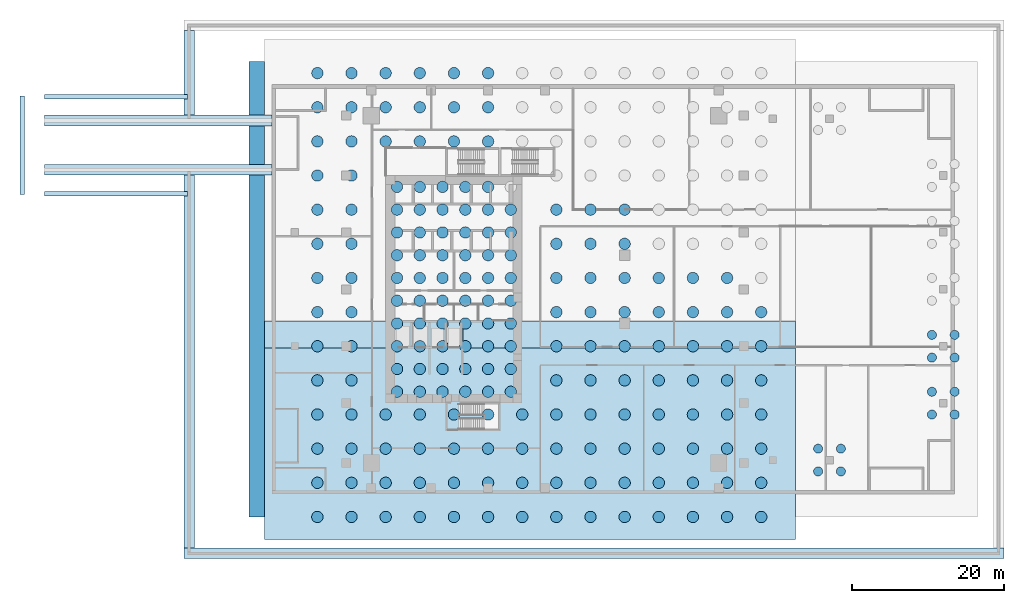
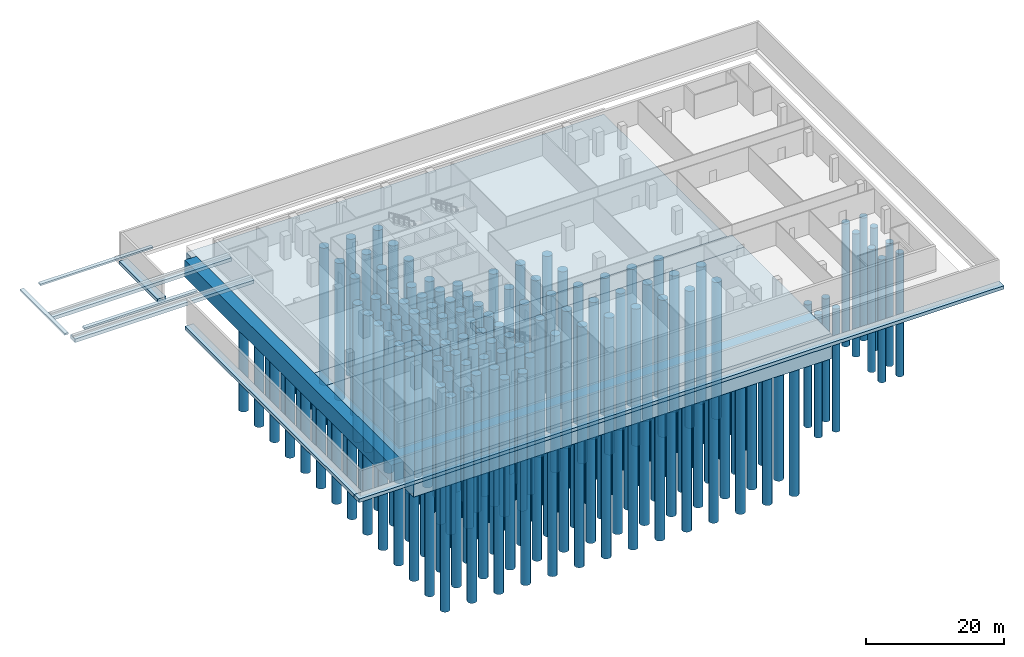
# One storey, part 1 of 10: 192 piles, 13 footings.
"""IFC4 building model written with IfcOpenShell, lengths in metres."""

import ifcopenshell
import ifcopenshell.guid

model = None  # the IFC model being written
_history = None  # IfcOwnerHistory: only IFC2X3 demands one
_inside = {}  # id of a spatial element -> (the spatial element, [elements in it])
_under = {}  # id of a project, library or spatial element -> (it, [spatial elements below it])
_declared = {}  # id of a project -> (the project, [libraries it declares])
_typed = {}  # id of a type object -> (the type object, [elements of that type])
_made_of = {}  # id of a material, layer set ... -> (it, [elements and type objects made of it])


def new_model(schema):
    """Start an empty IFC model of exactly this schema.

    Asked for "IFC4X3", IfcOpenShell would pick the latest addendum, in which some entities
    have other attributes; the version numbers below select the first issue.
    IFC2X3 requires an IfcOwnerHistory on every rooted entity: one is made here for all.
    """
    global model, _history
    if schema == "IFC4X3":
        model = ifcopenshell.file(schema_version=(4, 3, 0, 0))
    else:
        model = ifcopenshell.file(schema=schema)
    _inside.clear()
    _under.clear()
    _declared.clear()
    _typed.clear()
    _made_of.clear()
    _history = None
    if model.schema == "IFC2X3":
        org = make("IfcOrganization", Name="unknown")
        user = make(
            "IfcPersonAndOrganization",
            ThePerson=make("IfcPerson", FamilyName="unknown"),
            TheOrganization=org,
        )
        app = make(
            "IfcApplication",
            ApplicationDeveloper=org,
            Version="unknown",
            ApplicationFullName="unknown",
            ApplicationIdentifier="unknown",
        )
        _history = make(
            "IfcOwnerHistory",
            OwningUser=user,
            OwningApplication=app,
            ChangeAction="ADDED",
            CreationDate=0,
        )
    return model


def make(cls, **values):
    """One entity of the class cls with the attributes given. An attribute that is None is left unset."""
    return model.create_entity(
        cls, **{name: value for name, value in values.items() if value is not None}
    )


def rooted(cls, **values):
    """An entity with a GlobalId (a new one), such as an element, a storey or a relation."""
    return make(cls, GlobalId=ifcopenshell.guid.new(), OwnerHistory=_history, **values)


def si_unit(unit_type, name, prefix=None):
    """IfcSIUnit, for example si_unit("LENGTHUNIT", "METRE", prefix="MILLI")."""
    return make("IfcSIUnit", UnitType=unit_type, Prefix=prefix, Name=name)


def assignment(units):
    """IfcUnitAssignment: the units of a project."""
    return None if units is None else make("IfcUnitAssignment", Units=units)


def point(xyz):
    """IfcCartesianPoint."""
    return None if xyz is None else make("IfcCartesianPoint", Coordinates=xyz)


def direction(xyz):
    """IfcDirection."""
    return None if xyz is None else make("IfcDirection", DirectionRatios=xyz)


def frame(location, z_axis=None, x_axis=None):
    """IfcAxis2Placement3D, a coordinate frame: its origin and axes. An axis left out is left unset."""
    return make(
        "IfcAxis2Placement3D",
        Location=point(location),
        Axis=direction(z_axis),
        RefDirection=direction(x_axis),
    )


def frame_2d(location, x_axis=None):
    """IfcAxis2Placement2D, a coordinate frame in the plane: its origin and x axis."""
    return make(
        "IfcAxis2Placement2D", Location=point(location), RefDirection=direction(x_axis)
    )


def origin():
    """The frame at (0, 0, 0) with its axes left unset."""
    return frame((0.0, 0.0, 0.0))


def origin_2d():
    """The frame at (0, 0) in the plane with its x axis left unset."""
    return frame_2d((0.0, 0.0))


def place(relative_to, where):
    """IfcLocalPlacement: puts the frame where relative to a parent placement (None: the world)."""
    return make(
        "IfcLocalPlacement", PlacementRelTo=relative_to, RelativePlacement=where
    )


def context(
    kind, dimensions, precision=None, world=None, true_north=None, identifier=None
):
    """IfcGeometricRepresentationContext, for example the 3D "Model" context."""
    return make(
        "IfcGeometricRepresentationContext",
        ContextIdentifier=identifier,
        ContextType=kind,
        CoordinateSpaceDimension=dimensions,
        Precision=precision,
        WorldCoordinateSystem=world,
        TrueNorth=true_north,
    )


def subcontext(parent, identifier, kind, view, scale=None):
    """IfcGeometricRepresentationSubContext, for example "Body" below "Model"."""
    return make(
        "IfcGeometricRepresentationSubContext",
        ContextIdentifier=identifier,
        ContextType=kind,
        ParentContext=parent,
        TargetScale=scale,
        TargetView=view,
    )


def project(units=None, contexts=None):
    """IfcProject with its units and contexts."""
    return rooted(
        "IfcProject",
        Name="project",
        RepresentationContexts=contexts,
        UnitsInContext=assignment(units),
    )


def spatial(cls, under=None, at=None, **own):
    """A site, building, storey or space (cls), placed at a placement, below another one or the project."""
    s = rooted(cls, ObjectPlacement=at, **own)
    if under is not None:
        _under.setdefault(under.id(), (under, []))[1].append(s)
    return s


def polyline(points):
    """IfcPolyline through the points."""
    return make("IfcPolyline", Points=[point(p) for p in points])


def profile(cls, at=None, kind="AREA", **sizes):
    """A parametric profile (cls). Its sizes go by their IFC names, for example OverallWidth=200.0."""
    return make(cls, ProfileType=kind, Position=at, **sizes)


def circle(**sizes):
    """IfcCircleProfileDef."""
    return profile("IfcCircleProfileDef", **sizes)


def outline(outer, holes=None, kind="AREA"):
    """IfcArbitraryClosedProfileDef: a profile drawn as a closed curve; with holes, ...WithVoids."""
    if holes is None:
        return make("IfcArbitraryClosedProfileDef", ProfileType=kind, OuterCurve=outer)
    return make(
        "IfcArbitraryProfileDefWithVoids",
        ProfileType=kind,
        OuterCurve=outer,
        InnerCurves=holes,
    )


def extrude(swept, where, along, depth):
    """IfcExtrudedAreaSolid: the profile swept, set in the frame where, extruded along a direction by depth."""
    return make(
        "IfcExtrudedAreaSolid",
        SweptArea=swept,
        Position=where,
        ExtrudedDirection=direction(along),
        Depth=depth,
    )


def shape(context_of_items, identifier, shape_type, items):
    """IfcShapeRepresentation: the items that make up one representation, for example the "Body"."""
    return make(
        "IfcShapeRepresentation",
        ContextOfItems=context_of_items,
        RepresentationIdentifier=identifier,
        RepresentationType=shape_type,
        Items=items,
    )


def source(mapping_origin, context_of_items, identifier, shape_type, items):
    """IfcRepresentationMap: a shape defined once, which mapped items show again and again."""
    return make(
        "IfcRepresentationMap",
        MappingOrigin=mapping_origin,
        MappedRepresentation=shape(context_of_items, identifier, shape_type, items),
    )


def transform(
    local_origin,
    x_axis=None,
    y_axis=None,
    z_axis=None,
    scale=None,
    scale2=None,
    scale3=None,
    uniform=True,
):
    """IfcCartesianTransformationOperator3D, or its non-uniform kind. x_axis, y_axis, z_axis: its Axis1, 2, 3."""
    if uniform:
        return make(
            "IfcCartesianTransformationOperator3D",
            Axis1=direction(x_axis),
            Axis2=direction(y_axis),
            LocalOrigin=point(local_origin),
            Scale=scale,
            Axis3=direction(z_axis),
        )
    return make(
        "IfcCartesianTransformationOperator3DnonUniform",
        Axis1=direction(x_axis),
        Axis2=direction(y_axis),
        LocalOrigin=point(local_origin),
        Scale=scale,
        Axis3=direction(z_axis),
        Scale2=scale2,
        Scale3=scale3,
    )


def mapped(mapping_source, mapping_target):
    """IfcMappedItem: shows the shape of a source again, moved by a transform."""
    return make(
        "IfcMappedItem", MappingSource=mapping_source, MappingTarget=mapping_target
    )


def material(Name=None, Category=None):
    """IfcMaterial."""
    return make("IfcMaterial", Name=Name, Category=Category)


def layer(
    of_material, thickness, ventilated=None, Name=None, Category=None, Priority=None
):
    """IfcMaterialLayer: one layer of a wall or slab, of a material (None: an air gap)."""
    return make(
        "IfcMaterialLayer",
        Material=of_material,
        LayerThickness=thickness,
        IsVentilated=ventilated,
        Name=Name,
        Category=Category,
        Priority=Priority,
    )


def layer_set(layers, Name=None):
    """IfcMaterialLayerSet."""
    return make("IfcMaterialLayerSet", MaterialLayers=layers, LayerSetName=Name)


def material_profile(
    of_material, cross_section, Name=None, Category=None, Priority=None
):
    """IfcMaterialProfile: a cross section and its material."""
    return make(
        "IfcMaterialProfile",
        Name=Name,
        Material=of_material,
        Profile=cross_section,
        Priority=Priority,
        Category=Category,
    )


def profile_set(profiles, Name=None, composite=None):
    """IfcMaterialProfileSet."""
    return make(
        "IfcMaterialProfileSet",
        Name=Name,
        MaterialProfiles=profiles,
        CompositeProfile=composite,
    )


def made_of(thing, what):
    """Note that an element or type object is made of a material, layer set ...; save() writes the relation."""
    if what is not None:
        _made_of.setdefault(what.id(), (what, []))[1].append(thing)
    return thing


def type_object(cls, material=None, **own):
    """A type object (cls), such as IfcWallType, which elements share."""
    return made_of(rooted(cls, **own), material)


def element(
    cls,
    number,
    at=None,
    inside=None,
    cuts=None,
    type_object=None,
    material=None,
    context=None,
    identifier="Body",
    shape_type=None,
    held_by="IfcProductDefinitionShape",
    body=None,
    shapes=None,
    **own,
):
    """One element of the class cls, such as IfcWall. Its Tag is "e" and its number.

    at: its placement. inside: the storey or other place that contains it. cuts: it is an
    opening in that element (IfcRelVoidsElement). A single representation is given by context,
    identifier, shape_type and body (its items); several are given by shapes. held_by: the class
    of the entity that holds the representations. save() writes the other relations.
    """
    e = rooted(cls, Tag="e%d" % number, ObjectPlacement=at, **own)
    if body is not None:
        shapes = [shape(context, identifier, shape_type, body)]
    if shapes is not None:
        e.Representation = make(held_by, Representations=shapes)
    if inside is not None:
        _inside.setdefault(inside.id(), (inside, []))[1].append(e)
    if cuts is not None:
        rooted(
            "IfcRelVoidsElement", RelatingBuildingElement=cuts, RelatedOpeningElement=e
        )
    if type_object is not None:
        _typed.setdefault(type_object.id(), (type_object, []))[1].append(e)
    return made_of(e, material)


def aggregate(whole, parts):
    """IfcRelAggregates: a whole, such as a stair, and the parts it consists of."""
    return rooted("IfcRelAggregates", RelatingObject=whole, RelatedObjects=parts)


def save(model, path):
    """Write the relations noted so far, then the file.

    IfcRelAggregates (storeys below a building ...), IfcRelContainedInSpatialStructure (elements
    in a storey), IfcRelDefinesByType, IfcRelAssociatesMaterial and IfcRelDeclares: one each for
    every whole, place, type object, material and project.
    """
    for whole, parts in _under.values():
        aggregate(whole, parts)
    for where, things in _inside.values():
        rooted(
            "IfcRelContainedInSpatialStructure",
            RelatedElements=things,
            RelatingStructure=where,
        )
    for kind, things in _typed.values():
        rooted("IfcRelDefinesByType", RelatedObjects=things, RelatingType=kind)
    for what, things in _made_of.values():
        rooted("IfcRelAssociatesMaterial", RelatedObjects=things, RelatingMaterial=what)
    for by, libraries in _declared.values():
        rooted("IfcRelDeclares", RelatingContext=by, RelatedDefinitions=libraries)
    model.write(path)


model = new_model("IFC4")

# Units and contexts
model_context = context("Model", 3, precision=1e-05, world=origin(), true_north=direction((0.0, 1.0)))
body_context = subcontext(model_context, "Body", "Model", "MODEL_VIEW")
ifc_project = project(units=[si_unit("LENGTHUNIT", "METRE"), si_unit("AREAUNIT", "SQUARE_METRE"), si_unit("VOLUMEUNIT", "CUBIC_METRE"), si_unit("PLANEANGLEUNIT", "RADIAN"), si_unit("MASSUNIT", "GRAM", prefix="KILO")], contexts=[model_context])

# Site, building, storey
site_placement = place(None, origin())
site = spatial("IfcSite", under=ifc_project, at=site_placement, CompositionType="ELEMENT")
building_placement = place(site_placement, origin())
building = spatial("IfcBuilding", under=site, at=building_placement, Name="Khomas Fold Tower", CompositionType="ELEMENT")
storey_placement = place(building_placement, frame((0.0, 0.0, -9.0)))
storey = spatial("IfcBuildingStorey", under=building, at=storey_placement, Name="B2", CompositionType="ELEMENT", Elevation=-9.0)

# Footings
ifc_material_1 = material(Name="Concrete C40/50", Category="concrete")
ifc_layer_1 = layer(ifc_material_1, 3.35009765625)
ifc_layer_set_1 = layer_set([ifc_layer_1], Name="Concrete C40/50")
footing_type_1 = type_object("IfcFootingType", Name="RC tower raft 70000 x 66000 x 3350 RF1", PredefinedType="PILE_CAP", material=ifc_layer_set_1)
shared_shape_1 = source(origin(), body_context, "Body", "SweptSolid", [
    extrude(outline(polyline([(-10.0, -6.0), (60.0, -6.0), (60.0, 60.0), (-10.0, 60.0), (-10.0, -6.0)])), origin(), (0.0, 0.0, 1.0), 3.35009765625),
])
footing_1_placement = place(storey_placement, frame((0.0, 0.0, -4.85009765625)))
element("IfcFooting", 1, at=footing_1_placement, inside=storey, type_object=footing_type_1, Name="Tower raft", PredefinedType="PILE_CAP", context=body_context, shape_type="MappedRepresentation", body=[
    mapped(shared_shape_1, transform((0.0, 0.0, 0.0))),
])
ifc_material_2 = material(Name="Concrete C40/50", Category="concrete")
ifc_layer_2 = layer(ifc_material_2, 1.14990234375)
ifc_layer_set_2 = layer_set([ifc_layer_2], Name="Concrete C40/50")
footing_type_2 = type_object("IfcFootingType", Name="RC tower raft upper part 70000 x 25250 x 1150 RF2", PredefinedType="PILE_CAP", material=ifc_layer_set_2)
shared_shape_2 = source(origin(), body_context, "Body", "SweptSolid", [
    extrude(outline(polyline([(-10.0, -6.0), (60.0, -6.0), (60.0, 19.25), (-10.0, 19.25), (-10.0, -6.0)])), origin(), (0.0, 0.0, 1.0), 1.14990234375),
])
footing_2_placement = place(storey_placement, frame((0.0, 0.0, -1.5)))
element("IfcFooting", 2, at=footing_2_placement, inside=storey, type_object=footing_type_2, Name="Tower raft upper part 1", PredefinedType="PILE_CAP", context=body_context, shape_type="MappedRepresentation", body=[
    mapped(shared_shape_2, transform((0.0, 0.0, 0.0))),
])
ifc_material_3 = material(Name="Concrete C40/50", Category="concrete")
ifc_layer_3 = layer(ifc_material_3, 1.14990234375)
ifc_layer_set_3 = layer_set([ifc_layer_3], Name="Concrete C40/50")
footing_type_3 = type_object("IfcFootingType", Name="RC tower raft upper part 16950 x 3600 x 1150 RF3", PredefinedType="PILE_CAP", material=ifc_layer_set_3)
shared_shape_3 = source(origin(), body_context, "Body", "SweptSolid", [
    extrude(outline(polyline([(-10.0, 19.25), (6.949951171875, 19.25), (6.949951171875, 22.85009765625), (-10.0, 22.85009765625), (-10.0, 19.25)])), origin(), (0.0, 0.0, 1.0), 1.14990234375),
])
footing_3_placement = place(storey_placement, frame((0.0, 0.0, -1.5)))
element("IfcFooting", 3, at=footing_3_placement, inside=storey, type_object=footing_type_3, Name="Tower raft upper part 2", PredefinedType="PILE_CAP", context=body_context, shape_type="MappedRepresentation", body=[
    mapped(shared_shape_3, transform((0.0, 0.0, 0.0))),
])
ifc_material_4 = material(Name="Concrete C40/50", Category="concrete")
ifc_layer_4 = layer(ifc_material_4, 1.14990234375)
ifc_layer_set_4 = layer_set([ifc_layer_4], Name="Concrete C40/50")
footing_type_4 = type_object("IfcFootingType", Name="RC tower raft upper part 43800 x 3600 x 1150 RF4", PredefinedType="PILE_CAP", material=ifc_layer_set_4)
shared_shape_4 = source(origin(), body_context, "Body", "SweptSolid", [
    extrude(outline(polyline([(16.199951171875, 19.25), (60.0, 19.25), (60.0, 22.85009765625), (16.199951171875, 22.85009765625), (16.199951171875, 19.25)])), origin(), (0.0, 0.0, 1.0), 1.14990234375),
])
footing_4_placement = place(storey_placement, frame((0.0, 0.0, -1.5)))
element("IfcFooting", 4, at=footing_4_placement, inside=storey, type_object=footing_type_4, Name="Tower raft upper part 3", PredefinedType="PILE_CAP", context=body_context, shape_type="MappedRepresentation", body=[
    mapped(shared_shape_4, transform((0.0, 0.0, 0.0))),
])
ifc_material_5 = material(Name="Concrete C40/50", Category="concrete")
ifc_layer_5 = layer(ifc_material_5, 3.0)
ifc_layer_set_5 = layer_set([ifc_layer_5], Name="Concrete C40/50")
footing_type_5 = type_object("IfcFootingType", Name="RC podium raft 2000 x 60000 x 3000 RF6", PredefinedType="PILE_CAP", material=ifc_layer_set_5)
shared_shape_5 = source(origin(), body_context, "Body", "SweptSolid", [
    extrude(outline(polyline([(-12.0, -3.0), (-10.0, -3.0), (-10.0, 57.0), (-12.0, 57.0), (-12.0, -3.0)])), origin(), (0.0, 0.0, 1.0), 3.0),
])
footing_5_placement = place(storey_placement, frame((0.0, 0.0, -3.35009765625)))
element("IfcFooting", 5, at=footing_5_placement, inside=storey, type_object=footing_type_5, Name="Podium raft 1", PredefinedType="PILE_CAP", context=body_context, shape_type="MappedRepresentation", body=[
    mapped(shared_shape_5, transform((0.0, 0.0, 0.0))),
])

# Piles
ifc_material_6 = material(Name="Concrete C40/50", Category="concrete")
ifc_material_profile_1 = material_profile(ifc_material_6, circle(Radius=0.75, at=origin_2d()), Name="PILE D1500")
ifc_profile_set_1 = profile_set([ifc_material_profile_1], Name="Concrete C40/50")
pile_type_1 = type_object("IfcPileType", Name="Bored pile D1500 grid", PredefinedType="BORED", material=ifc_profile_set_1)
shared_shape_6 = source(origin(), body_context, "Body", "SweptSolid", [
    extrude(circle(Radius=0.75, at=origin_2d()), origin(), (0.0, 0.0, 1.0), 24.300048828125),
])
for number, where, z_axis, x_axis, name in (
    (6, (-3.0, -3.0, -4.699951171875), (0.0, 0.0, -1.0), (1.0, 0.0, 0.0), "Pile G001"),
    (7, (-3.0, 1.5, -4.699951171875), (0.0, 0.0, -1.0), (1.0, 0.0, 0.0), "Pile G002"),
    (8, (-3.0, 6.0, -4.699951171875), (0.0, 0.0, -1.0), (1.0, 0.0, 0.0), "Pile G003"),
    (9, (-3.0, 10.5, -4.699951171875), (0.0, 0.0, -1.0), (1.0, 0.0, 0.0), "Pile G004"),
    (10, (-3.0, 15.0, -4.699951171875), (0.0, 0.0, -1.0), (1.0, 0.0, 0.0), "Pile G005"),
    (11, (-3.0, 19.5, -4.699951171875), (0.0, 0.0, -1.0), (1.0, 0.0, 0.0), "Pile G006"),
    (12, (-3.0, 24.0, -4.699951171875), (0.0, 0.0, -1.0), (1.0, 0.0, 0.0), "Pile G007"),
    (13, (-3.0, 28.5, -4.699951171875), (0.0, 0.0, -1.0), (1.0, 0.0, 0.0), "Pile G008"),
    (14, (-3.0, 33.0, -4.699951171875), (0.0, 0.0, -1.0), (1.0, 0.0, 0.0), "Pile G009"),
    (15, (-3.0, 37.5, -4.699951171875), (0.0, 0.0, -1.0), (1.0, 0.0, 0.0), "Pile G010"),
    (16, (-3.0, 42.0, -4.699951171875), (0.0, 0.0, -1.0), (1.0, 0.0, 0.0), "Pile G011"),
    (17, (-3.0, 46.5, -4.699951171875), (0.0, 0.0, -1.0), (1.0, 0.0, 0.0), "Pile G012"),
    (18, (-3.0, 51.0, -4.699951171875), (0.0, 0.0, -1.0), (1.0, 0.0, 0.0), "Pile G013"),
    (19, (-3.0, 55.5, -4.699951171875), (0.0, 0.0, -1.0), (1.0, 0.0, 0.0), "Pile G014"),
    (20, (1.5, -3.0, -4.699951171875), (0.0, 0.0, -1.0), (1.0, 0.0, 0.0), "Pile G015"),
    (21, (1.5, 1.5, -4.699951171875), (0.0, 0.0, -1.0), (1.0, 0.0, 0.0), "Pile G016"),
    (22, (1.5, 6.0, -4.699951171875), (0.0, 0.0, -1.0), (1.0, 0.0, 0.0), "Pile G017"),
    (23, (1.5, 10.5, -4.699951171875), (0.0, 0.0, -1.0), (1.0, 0.0, 0.0), "Pile G018"),
    (24, (1.5, 15.0, -4.699951171875), (0.0, 0.0, -1.0), (1.0, 0.0, 0.0), "Pile G019"),
    (25, (1.5, 19.5, -4.699951171875), (0.0, 0.0, -1.0), (1.0, 0.0, 0.0), "Pile G020"),
    (26, (1.5, 24.0, -4.699951171875), (0.0, 0.0, -1.0), (1.0, 0.0, 0.0), "Pile G021"),
    (27, (1.5, 28.5, -4.699951171875), (0.0, 0.0, -1.0), (1.0, 0.0, 0.0), "Pile G022"),
    (28, (1.5, 33.0, -4.699951171875), (0.0, 0.0, -1.0), (1.0, 0.0, 0.0), "Pile G023"),
    (29, (1.5, 37.5, -4.699951171875), (0.0, 0.0, -1.0), (1.0, 0.0, 0.0), "Pile G024"),
    (30, (1.5, 42.0, -4.699951171875), (0.0, 0.0, -1.0), (1.0, 0.0, 0.0), "Pile G025"),
    (31, (1.5, 46.5, -4.699951171875), (0.0, 0.0, -1.0), (1.0, 0.0, 0.0), "Pile G026"),
    (32, (1.5, 51.0, -4.699951171875), (0.0, 0.0, -1.0), (1.0, 0.0, 0.0), "Pile G027"),
    (33, (1.5, 55.5, -4.699951171875), (0.0, 0.0, -1.0), (1.0, 0.0, 0.0), "Pile G028"),
    (34, (6.0, -3.0, -4.699951171875), (0.0, 0.0, -1.0), (1.0, 0.0, 0.0), "Pile G029"),
    (35, (6.0, 1.5, -4.699951171875), (0.0, 0.0, -1.0), (1.0, 0.0, 0.0), "Pile G030"),
    (36, (6.0, 6.0, -4.699951171875), (0.0, 0.0, -1.0), (1.0, 0.0, 0.0), "Pile G031"),
    (37, (6.0, 10.5, -4.699951171875), (0.0, 0.0, -1.0), (1.0, 0.0, 0.0), "Pile G032"),
    (38, (6.0, 46.5, -4.699951171875), (0.0, 0.0, -1.0), (1.0, 0.0, 0.0), "Pile G033"),
    (39, (6.0, 51.0, -4.699951171875), (0.0, 0.0, -1.0), (1.0, 0.0, 0.0), "Pile G034"),
    (40, (6.0, 55.5, -4.699951171875), (0.0, 0.0, -1.0), (1.0, 0.0, 0.0), "Pile G035"),
    (41, (10.5, -3.0, -4.699951171875), (0.0, 0.0, -1.0), (1.0, 0.0, 0.0), "Pile G036"),
    (42, (10.5, 1.5, -4.699951171875), (0.0, 0.0, -1.0), (1.0, 0.0, 0.0), "Pile G037"),
    (43, (10.5, 6.0, -4.699951171875), (0.0, 0.0, -1.0), (1.0, 0.0, 0.0), "Pile G038"),
    (44, (10.5, 10.5, -4.699951171875), (0.0, 0.0, -1.0), (1.0, 0.0, 0.0), "Pile G039"),
    (45, (10.5, 46.5, -4.699951171875), (0.0, 0.0, -1.0), (1.0, 0.0, 0.0), "Pile G040"),
    (46, (10.5, 51.0, -4.699951171875), (0.0, 0.0, -1.0), (1.0, 0.0, 0.0), "Pile G041"),
    (47, (10.5, 55.5, -4.699951171875), (0.0, 0.0, -1.0), (1.0, 0.0, 0.0), "Pile G042"),
    (48, (15.0, -3.0, -4.699951171875), (0.0, 0.0, -1.0), (1.0, 0.0, 0.0), "Pile G043"),
    (49, (15.0, 1.5, -4.699951171875), (0.0, 0.0, -1.0), (1.0, 0.0, 0.0), "Pile G044"),
    (50, (15.0, 6.0, -4.699951171875), (0.0, 0.0, -1.0), (1.0, 0.0, 0.0), "Pile G045"),
    (51, (15.0, 10.5, -4.699951171875), (0.0, 0.0, -1.0), (1.0, 0.0, 0.0), "Pile G046"),
    (52, (15.0, 46.5, -4.699951171875), (0.0, 0.0, -1.0), (1.0, 0.0, 0.0), "Pile G047"),
    (53, (15.0, 51.0, -4.699951171875), (0.0, 0.0, -1.0), (1.0, 0.0, 0.0), "Pile G048"),
    (54, (15.0, 55.5, -4.699951171875), (0.0, 0.0, -1.0), (1.0, 0.0, 0.0), "Pile G049"),
    (55, (19.5, -3.0, -4.699951171875), (0.0, 0.0, -1.0), (1.0, 0.0, 0.0), "Pile G050"),
    (56, (19.5, 1.5, -4.699951171875), (0.0, 0.0, -1.0), (1.0, 0.0, 0.0), "Pile G051"),
    (57, (19.5, 6.0, -4.699951171875), (0.0, 0.0, -1.0), (1.0, 0.0, 0.0), "Pile G052"),
    (58, (19.5, 10.5, -4.699951171875), (0.0, 0.0, -1.0), (1.0, 0.0, 0.0), "Pile G053"),
    (59, (19.5, 46.5, -4.699951171875), (0.0, 0.0, -1.0), (1.0, 0.0, 0.0), "Pile G054"),
    (60, (19.5, 51.0, -4.699951171875), (0.0, 0.0, -1.0), (1.0, 0.0, 0.0), "Pile G055"),
    (61, (19.5, 55.5, -4.699951171875), (0.0, 0.0, -1.0), (1.0, 0.0, 0.0), "Pile G056"),
    (62, (24.0, -3.0, -4.699951171875), (0.0, 0.0, -1.0), (1.0, 0.0, 0.0), "Pile G057"),
    (63, (24.0, 1.5, -4.699951171875), (0.0, 0.0, -1.0), (1.0, 0.0, 0.0), "Pile G058"),
    (64, (24.0, 6.0, -4.699951171875), (0.0, 0.0, -1.0), (1.0, 0.0, 0.0), "Pile G059"),
    (65, (24.0, 10.5, -4.699951171875), (0.0, 0.0, -1.0), (1.0, 0.0, 0.0), "Pile G060"),
    (66, (28.5, -3.0, -4.699951171875), (0.0, 0.0, -1.0), (1.0, 0.0, 0.0), "Pile G064"),
    (67, (28.5, 1.5, -4.699951171875), (0.0, 0.0, -1.0), (1.0, 0.0, 0.0), "Pile G065"),
    (68, (28.5, 6.0, -4.699951171875), (0.0, 0.0, -1.0), (1.0, 0.0, 0.0), "Pile G066"),
    (69, (28.5, 10.5, -4.699951171875), (0.0, 0.0, -1.0), (1.0, 0.0, 0.0), "Pile G067"),
    (70, (28.5, 15.0, -4.699951171875), (0.0, 0.0, -1.0), (1.0, 0.0, 0.0), "Pile G068"),
    (71, (28.5, 19.5, -4.699951171875), (0.0, 0.0, -1.0), (1.0, 0.0, 0.0), "Pile G069"),
    (72, (28.5, 24.0, -4.699951171875), (0.0, 0.0, -1.0), (1.0, 0.0, 0.0), "Pile G070"),
    (73, (28.5, 28.5, -4.699951171875), (0.0, 0.0, -1.0), (1.0, 0.0, 0.0), "Pile G071"),
    (74, (28.5, 33.0, -4.699951171875), (0.0, 0.0, -1.0), (1.0, 0.0, 0.0), "Pile G072"),
    (75, (28.5, 37.5, -4.699951171875), (0.0, 0.0, -1.0), (1.0, 0.0, 0.0), "Pile G073"),
    (76, (33.0, -3.0, -4.699951171875), (0.0, 0.0, -1.0), (1.0, 0.0, 0.0), "Pile G078"),
    (77, (33.0, 1.5, -4.699951171875), (0.0, 0.0, -1.0), (1.0, 0.0, 0.0), "Pile G079"),
    (78, (33.0, 6.0, -4.699951171875), (0.0, 0.0, -1.0), (1.0, 0.0, 0.0), "Pile G080"),
    (79, (33.0, 10.5, -4.699951171875), (0.0, 0.0, -1.0), (1.0, 0.0, 0.0), "Pile G081"),
    (80, (33.0, 15.0, -4.699951171875), (0.0, 0.0, -1.0), (1.0, 0.0, 0.0), "Pile G082"),
    (81, (33.0, 19.5, -4.699951171875), (0.0, 0.0, -1.0), (1.0, 0.0, 0.0), "Pile G083"),
    (82, (33.0, 24.0, -4.699951171875), (0.0, 0.0, -1.0), (1.0, 0.0, 0.0), "Pile G084"),
    (83, (33.0, 28.5, -4.699951171875), (0.0, 0.0, -1.0), (1.0, 0.0, 0.0), "Pile G085"),
    (84, (33.0, 33.0, -4.699951171875), (0.0, 0.0, -1.0), (1.0, 0.0, 0.0), "Pile G086"),
    (85, (33.0, 37.5, -4.699951171875), (0.0, 0.0, -1.0), (1.0, 0.0, 0.0), "Pile G087"),
    (86, (37.5, -3.0, -4.699951171875), (0.0, 0.0, -1.0), (1.0, 0.0, 0.0), "Pile G092"),
    (87, (37.5, 1.5, -4.699951171875), (0.0, 0.0, -1.0), (1.0, 0.0, 0.0), "Pile G093"),
    (88, (37.5, 6.0, -4.699951171875), (0.0, 0.0, -1.0), (1.0, 0.0, 0.0), "Pile G094"),
    (89, (37.5, 10.5, -4.699951171875), (0.0, 0.0, -1.0), (1.0, 0.0, 0.0), "Pile G095"),
    (90, (37.5, 15.0, -4.699951171875), (0.0, 0.0, -1.0), (1.0, 0.0, 0.0), "Pile G096"),
    (91, (37.5, 19.5, -4.699951171875), (0.0, 0.0, -1.0), (1.0, 0.0, 0.0), "Pile G097"),
    (92, (37.5, 24.0, -4.699951171875), (0.0, 0.0, -1.0), (1.0, 0.0, 0.0), "Pile G098"),
    (93, (37.5, 28.5, -4.699951171875), (0.0, 0.0, -1.0), (1.0, 0.0, 0.0), "Pile G099"),
    (94, (37.5, 33.0, -4.699951171875), (0.0, 0.0, -1.0), (1.0, 0.0, 0.0), "Pile G100"),
    (95, (37.5, 37.5, -4.699951171875), (0.0, 0.0, -1.0), (1.0, 0.0, 0.0), "Pile G101"),
    (96, (42.0, -3.0, -4.699951171875), (0.0, 0.0, -1.0), (1.0, 0.0, 0.0), "Pile G106"),
    (97, (42.0, 1.5, -4.699951171875), (0.0, 0.0, -1.0), (1.0, 0.0, 0.0), "Pile G107"),
    (98, (42.0, 6.0, -4.699951171875), (0.0, 0.0, -1.0), (1.0, 0.0, 0.0), "Pile G108"),
    (99, (42.0, 10.5, -4.699951171875), (0.0, 0.0, -1.0), (1.0, 0.0, 0.0), "Pile G109"),
    (100, (42.0, 15.0, -4.699951171875), (0.0, 0.0, -1.0), (1.0, 0.0, 0.0), "Pile G110"),
    (101, (42.0, 19.5, -4.699951171875), (0.0, 0.0, -1.0), (1.0, 0.0, 0.0), "Pile G111"),
    (102, (42.0, 24.0, -4.699951171875), (0.0, 0.0, -1.0), (1.0, 0.0, 0.0), "Pile G112"),
    (103, (42.0, 28.5, -4.699951171875), (0.0, 0.0, -1.0), (1.0, 0.0, 0.0), "Pile G113"),
    (104, (46.5, -3.0, -4.699951171875), (0.0, 0.0, -1.0), (1.0, 0.0, 0.0), "Pile G120"),
    (105, (46.5, 1.5, -4.699951171875), (0.0, 0.0, -1.0), (1.0, 0.0, 0.0), "Pile G121"),
    (106, (46.5, 6.0, -4.699951171875), (0.0, 0.0, -1.0), (1.0, 0.0, 0.0), "Pile G122"),
    (107, (46.5, 10.5, -4.699951171875), (0.0, 0.0, -1.0), (1.0, 0.0, 0.0), "Pile G123"),
    (108, (46.5, 15.0, -4.699951171875), (0.0, 0.0, -1.0), (1.0, 0.0, 0.0), "Pile G124"),
    (109, (46.5, 19.5, -4.699951171875), (0.0, 0.0, -1.0), (1.0, 0.0, 0.0), "Pile G125"),
    (110, (46.5, 24.0, -4.699951171875), (0.0, 0.0, -1.0), (1.0, 0.0, 0.0), "Pile G126"),
    (111, (46.5, 28.5, -4.699951171875), (0.0, 0.0, -1.0), (1.0, 0.0, 0.0), "Pile G127"),
    (112, (51.0, -3.0, -4.699951171875), (0.0, 0.0, -1.0), (1.0, 0.0, 0.0), "Pile G134"),
    (113, (51.0, 1.5, -4.699951171875), (0.0, 0.0, -1.0), (1.0, 0.0, 0.0), "Pile G135"),
    (114, (51.0, 6.0, -4.699951171875), (0.0, 0.0, -1.0), (1.0, 0.0, 0.0), "Pile G136"),
    (115, (51.0, 10.5, -4.699951171875), (0.0, 0.0, -1.0), (1.0, 0.0, 0.0), "Pile G137"),
    (116, (51.0, 15.0, -4.699951171875), (0.0, 0.0, -1.0), (1.0, 0.0, 0.0), "Pile G138"),
    (117, (51.0, 19.5, -4.699951171875), (0.0, 0.0, -1.0), (1.0, 0.0, 0.0), "Pile G139"),
    (118, (51.0, 24.0, -4.699951171875), (0.0, 0.0, -1.0), (1.0, 0.0, 0.0), "Pile G140"),
    (119, (51.0, 28.5, -4.699951171875), (0.0, 0.0, -1.0), (1.0, 0.0, 0.0), "Pile G141"),
    (120, (55.5, -3.0, -4.699951171875), (0.0, 0.0, -1.0), (1.0, 0.0, 0.0), "Pile G148"),
    (121, (55.5, 1.5, -4.699951171875), (0.0, 0.0, -1.0), (1.0, 0.0, 0.0), "Pile G149"),
    (122, (55.5, 6.0, -4.699951171875), (0.0, 0.0, -1.0), (1.0, 0.0, 0.0), "Pile G150"),
    (123, (55.5, 10.5, -4.699951171875), (0.0, 0.0, -1.0), (1.0, 0.0, 0.0), "Pile G151"),
    (124, (55.5, 15.0, -4.699951171875), (0.0, 0.0, -1.0), (1.0, 0.0, 0.0), "Pile G152"),
    (125, (55.5, 19.5, -4.699951171875), (0.0, 0.0, -1.0), (1.0, 0.0, 0.0), "Pile G153"),
    (126, (55.5, 24.0, -4.699951171875), (0.0, 0.0, -1.0), (1.0, 0.0, 0.0), "Pile G154"),
):
    element("IfcPile", number, at=place(storey_placement, frame(where, z_axis=z_axis, x_axis=x_axis)), inside=storey, type_object=pile_type_1, Name=name, PredefinedType="BORED", context=body_context, shape_type="MappedRepresentation", body=[
        mapped(shared_shape_6, transform((0.0, 0.0, 0.0))),
    ])
ifc_material_7 = material(Name="Concrete C40/50", Category="concrete")
ifc_material_profile_2 = material_profile(ifc_material_7, circle(Radius=0.75, at=origin_2d()), Name="PILE D1500")
ifc_profile_set_2 = profile_set([ifc_material_profile_2], Name="Concrete C40/50")
pile_type_2 = type_object("IfcPileType", Name="Bored pile D1500 core", PredefinedType="BORED", material=ifc_profile_set_2)
shared_shape_7 = source(origin(), body_context, "Body", "SweptSolid", [
    extrude(circle(Radius=0.75, at=origin_2d()), origin(), (0.0, 0.0, 1.0), 24.300048828125),
])
for number, where, z_axis, x_axis, name in (
    (127, (7.5, 13.5, -4.699951171875), (0.0, 0.0, -1.0), (1.0, 0.0, 0.0), "Pile C001"),
    (128, (7.5, 16.5, -4.699951171875), (0.0, 0.0, -1.0), (1.0, 0.0, 0.0), "Pile C002"),
    (129, (7.5, 19.5, -4.699951171875), (0.0, 0.0, -1.0), (1.0, 0.0, 0.0), "Pile C003"),
    (130, (7.5, 22.5, -4.699951171875), (0.0, 0.0, -1.0), (1.0, 0.0, 0.0), "Pile C004"),
    (131, (7.5, 25.5, -4.699951171875), (0.0, 0.0, -1.0), (1.0, 0.0, 0.0), "Pile C005"),
    (132, (7.5, 28.5, -4.699951171875), (0.0, 0.0, -1.0), (1.0, 0.0, 0.0), "Pile C006"),
    (133, (7.5, 31.5, -4.699951171875), (0.0, 0.0, -1.0), (1.0, 0.0, 0.0), "Pile C007"),
    (134, (7.5, 34.5, -4.699951171875), (0.0, 0.0, -1.0), (1.0, 0.0, 0.0), "Pile C008"),
    (135, (7.5, 37.5, -4.699951171875), (0.0, 0.0, -1.0), (1.0, 0.0, 0.0), "Pile C009"),
    (136, (7.5, 40.5, -4.699951171875), (0.0, 0.0, -1.0), (1.0, 0.0, 0.0), "Pile C010"),
    (137, (10.5, 13.5, -4.699951171875), (0.0, 0.0, -1.0), (1.0, 0.0, 0.0), "Pile C011"),
    (138, (10.5, 16.5, -4.699951171875), (0.0, 0.0, -1.0), (1.0, 0.0, 0.0), "Pile C012"),
    (139, (10.5, 19.5, -4.699951171875), (0.0, 0.0, -1.0), (1.0, 0.0, 0.0), "Pile C013"),
    (140, (10.5, 22.5, -4.699951171875), (0.0, 0.0, -1.0), (1.0, 0.0, 0.0), "Pile C014"),
    (141, (10.5, 25.5, -4.699951171875), (0.0, 0.0, -1.0), (1.0, 0.0, 0.0), "Pile C015"),
    (142, (10.5, 28.5, -4.699951171875), (0.0, 0.0, -1.0), (1.0, 0.0, 0.0), "Pile C016"),
    (143, (10.5, 31.5, -4.699951171875), (0.0, 0.0, -1.0), (1.0, 0.0, 0.0), "Pile C017"),
    (144, (10.5, 34.5, -4.699951171875), (0.0, 0.0, -1.0), (1.0, 0.0, 0.0), "Pile C018"),
    (145, (10.5, 37.5, -4.699951171875), (0.0, 0.0, -1.0), (1.0, 0.0, 0.0), "Pile C019"),
    (146, (10.5, 40.5, -4.699951171875), (0.0, 0.0, -1.0), (1.0, 0.0, 0.0), "Pile C020"),
    (147, (13.5, 13.5, -4.699951171875), (0.0, 0.0, -1.0), (1.0, 0.0, 0.0), "Pile C021"),
    (148, (13.5, 16.5, -4.699951171875), (0.0, 0.0, -1.0), (1.0, 0.0, 0.0), "Pile C022"),
    (149, (13.5, 19.5, -4.699951171875), (0.0, 0.0, -1.0), (1.0, 0.0, 0.0), "Pile C023"),
    (150, (13.5, 22.5, -4.699951171875), (0.0, 0.0, -1.0), (1.0, 0.0, 0.0), "Pile C024"),
    (151, (13.5, 25.5, -4.699951171875), (0.0, 0.0, -1.0), (1.0, 0.0, 0.0), "Pile C025"),
    (152, (13.5, 28.5, -4.699951171875), (0.0, 0.0, -1.0), (1.0, 0.0, 0.0), "Pile C026"),
    (153, (13.5, 31.5, -4.699951171875), (0.0, 0.0, -1.0), (1.0, 0.0, 0.0), "Pile C027"),
    (154, (13.5, 34.5, -4.699951171875), (0.0, 0.0, -1.0), (1.0, 0.0, 0.0), "Pile C028"),
    (155, (13.5, 37.5, -4.699951171875), (0.0, 0.0, -1.0), (1.0, 0.0, 0.0), "Pile C029"),
    (156, (13.5, 40.5, -4.699951171875), (0.0, 0.0, -1.0), (1.0, 0.0, 0.0), "Pile C030"),
    (157, (16.5, 13.5, -4.699951171875), (0.0, 0.0, -1.0), (1.0, 0.0, 0.0), "Pile C031"),
    (158, (16.5, 16.5, -4.699951171875), (0.0, 0.0, -1.0), (1.0, 0.0, 0.0), "Pile C032"),
    (159, (16.5, 19.5, -4.699951171875), (0.0, 0.0, -1.0), (1.0, 0.0, 0.0), "Pile C033"),
    (160, (16.5, 22.5, -4.699951171875), (0.0, 0.0, -1.0), (1.0, 0.0, 0.0), "Pile C034"),
    (161, (16.5, 25.5, -4.699951171875), (0.0, 0.0, -1.0), (1.0, 0.0, 0.0), "Pile C035"),
    (162, (16.5, 28.5, -4.699951171875), (0.0, 0.0, -1.0), (1.0, 0.0, 0.0), "Pile C036"),
    (163, (16.5, 31.5, -4.699951171875), (0.0, 0.0, -1.0), (1.0, 0.0, 0.0), "Pile C037"),
    (164, (16.5, 34.5, -4.699951171875), (0.0, 0.0, -1.0), (1.0, 0.0, 0.0), "Pile C038"),
    (165, (16.5, 37.5, -4.699951171875), (0.0, 0.0, -1.0), (1.0, 0.0, 0.0), "Pile C039"),
    (166, (16.5, 40.5, -4.699951171875), (0.0, 0.0, -1.0), (1.0, 0.0, 0.0), "Pile C040"),
    (167, (19.5, 13.5, -4.699951171875), (0.0, 0.0, -1.0), (1.0, 0.0, 0.0), "Pile C041"),
    (168, (19.5, 16.5, -4.699951171875), (0.0, 0.0, -1.0), (1.0, 0.0, 0.0), "Pile C042"),
    (169, (19.5, 19.5, -4.699951171875), (0.0, 0.0, -1.0), (1.0, 0.0, 0.0), "Pile C043"),
    (170, (19.5, 22.5, -4.699951171875), (0.0, 0.0, -1.0), (1.0, 0.0, 0.0), "Pile C044"),
    (171, (19.5, 25.5, -4.699951171875), (0.0, 0.0, -1.0), (1.0, 0.0, 0.0), "Pile C045"),
    (172, (19.5, 28.5, -4.699951171875), (0.0, 0.0, -1.0), (1.0, 0.0, 0.0), "Pile C046"),
    (173, (19.5, 31.5, -4.699951171875), (0.0, 0.0, -1.0), (1.0, 0.0, 0.0), "Pile C047"),
    (174, (19.5, 34.5, -4.699951171875), (0.0, 0.0, -1.0), (1.0, 0.0, 0.0), "Pile C048"),
    (175, (19.5, 37.5, -4.699951171875), (0.0, 0.0, -1.0), (1.0, 0.0, 0.0), "Pile C049"),
    (176, (19.5, 40.5, -4.699951171875), (0.0, 0.0, -1.0), (1.0, 0.0, 0.0), "Pile C050"),
    (177, (22.5, 13.5, -4.699951171875), (0.0, 0.0, -1.0), (1.0, 0.0, 0.0), "Pile C051"),
    (178, (22.5, 16.5, -4.699951171875), (0.0, 0.0, -1.0), (1.0, 0.0, 0.0), "Pile C052"),
    (179, (22.5, 19.5, -4.699951171875), (0.0, 0.0, -1.0), (1.0, 0.0, 0.0), "Pile C053"),
    (180, (22.5, 22.5, -4.699951171875), (0.0, 0.0, -1.0), (1.0, 0.0, 0.0), "Pile C054"),
    (181, (22.5, 25.5, -4.699951171875), (0.0, 0.0, -1.0), (1.0, 0.0, 0.0), "Pile C055"),
    (182, (22.5, 28.5, -4.699951171875), (0.0, 0.0, -1.0), (1.0, 0.0, 0.0), "Pile C056"),
    (183, (22.5, 31.5, -4.699951171875), (0.0, 0.0, -1.0), (1.0, 0.0, 0.0), "Pile C057"),
    (184, (22.5, 34.5, -4.699951171875), (0.0, 0.0, -1.0), (1.0, 0.0, 0.0), "Pile C058"),
    (185, (22.5, 37.5, -4.699951171875), (0.0, 0.0, -1.0), (1.0, 0.0, 0.0), "Pile C059"),
):
    element("IfcPile", number, at=place(storey_placement, frame(where, z_axis=z_axis, x_axis=x_axis)), inside=storey, type_object=pile_type_2, Name=name, PredefinedType="BORED", context=body_context, shape_type="MappedRepresentation", body=[
        mapped(shared_shape_7, transform((0.0, 0.0, 0.0))),
    ])
ifc_material_8 = material(Name="Concrete C40/50", Category="concrete")
ifc_material_profile_3 = material_profile(ifc_material_8, circle(Radius=0.60009765625, at=origin_2d()), Name="PILE D1200")
ifc_profile_set_3 = profile_set([ifc_material_profile_3], Name="Concrete C40/50")
pile_type_3 = type_object("IfcPileType", Name="Bored pile D1200 podium", PredefinedType="BORED", material=ifc_profile_set_3)
shared_shape_8 = source(origin(), body_context, "Body", "SweptSolid", [
    extrude(circle(Radius=0.60009765625, at=origin_2d()), origin(), (0.0, 0.0, 1.0), 21.800048828125),
])
for number, where, z_axis, x_axis, name in (
    (186, (63.0, 3.0, -3.199951171875), (0.0, 0.0, -1.0), (1.0, 0.0, 0.0), "Pile PC05-1"),
    (187, (66.0, 3.0, -3.199951171875), (0.0, 0.0, -1.0), (1.0, 0.0, 0.0), "Pile PC05-2"),
    (188, (66.0, 6.0, -3.199951171875), (0.0, 0.0, -1.0), (1.0, 0.0, 0.0), "Pile PC05-3"),
    (189, (63.0, 6.0, -3.199951171875), (0.0, 0.0, -1.0), (1.0, 0.0, 0.0), "Pile PC05-4"),
    (190, (78.0, 10.5, -3.199951171875), (0.0, 0.0, -1.0), (1.0, 0.0, 0.0), "Pile PC07-1"),
    (191, (81.0, 10.5, -3.199951171875), (0.0, 0.0, -1.0), (1.0, 0.0, 0.0), "Pile PC07-2"),
    (192, (81.0, 13.5, -3.199951171875), (0.0, 0.0, -1.0), (1.0, 0.0, 0.0), "Pile PC07-3"),
    (193, (78.0, 13.5, -3.199951171875), (0.0, 0.0, -1.0), (1.0, 0.0, 0.0), "Pile PC07-4"),
    (194, (78.0, 18.0, -3.199951171875), (0.0, 0.0, -1.0), (1.0, 0.0, 0.0), "Pile PC08-1"),
    (195, (81.0, 18.0, -3.199951171875), (0.0, 0.0, -1.0), (1.0, 0.0, 0.0), "Pile PC08-2"),
    (196, (81.0, 21.0, -3.199951171875), (0.0, 0.0, -1.0), (1.0, 0.0, 0.0), "Pile PC08-3"),
    (197, (78.0, 21.0, -3.199951171875), (0.0, 0.0, -1.0), (1.0, 0.0, 0.0), "Pile PC08-4"),
):
    element("IfcPile", number, at=place(storey_placement, frame(where, z_axis=z_axis, x_axis=x_axis)), inside=storey, type_object=pile_type_3, Name=name, PredefinedType="BORED", context=body_context, shape_type="MappedRepresentation", body=[
        mapped(shared_shape_8, transform((0.0, 0.0, 0.0))),
    ])

# Footings
ifc_material_9 = material(Name="Concrete C35/45", Category="concrete")
ifc_layer_6 = layer(ifc_material_9, 0.60009765625)
ifc_layer_set_6 = layer_set([ifc_layer_6], Name="Concrete C35/45")
footing_type_6 = type_object("IfcFootingType", Name="Plaza wall footing 1400 x 600", PredefinedType="STRIP_FOOTING", material=ifc_layer_set_6)
shared_shape_9 = source(origin(), body_context, "Body", "SweptSolid", [
    extrude(outline(polyline([(-20.59814453125, -8.5), (87.5, -8.5), (87.5, -7.10009765625), (-20.59814453125, -7.10009765625), (-20.59814453125, -8.5)])), origin(), (0.0, 0.0, 1.0), 0.60009765625),
])
footing_6_placement = place(storey_placement, frame((0.0, 0.0, -0.60009765625)))
element("IfcFooting", 198, at=footing_6_placement, inside=storey, type_object=footing_type_6, Name="Plaza wall footing", PredefinedType="STRIP_FOOTING", context=body_context, shape_type="MappedRepresentation", body=[
    mapped(shared_shape_9, transform((0.0, 0.0, 0.0))),
])
shared_shape_10 = source(origin(), body_context, "Body", "SweptSolid", [
    extrude(outline(polyline([(-20.59814453125, -7.10009765625), (-19.197998046875, -7.10009765625), (-19.197998046875, 42.050048828125), (-20.59814453125, 42.050048828125), (-20.59814453125, -7.10009765625)])), origin(), (0.0, 0.0, 1.0), 0.60009765625),
])
footing_7_placement = place(storey_placement, frame((0.0, 0.0, -0.60009765625)))
element("IfcFooting", 199, at=footing_7_placement, inside=storey, type_object=footing_type_6, Name="Plaza wall footing", PredefinedType="STRIP_FOOTING", context=body_context, shape_type="MappedRepresentation", body=[
    mapped(shared_shape_10, transform((0.0, 0.0, 0.0))),
])
shared_shape_11 = source(origin(), body_context, "Body", "SweptSolid", [
    extrude(outline(polyline([(-20.59814453125, 49.949951171875), (-19.197998046875, 49.949951171875), (-19.197998046875, 61.10009765625), (-20.59814453125, 61.10009765625), (-20.59814453125, 49.949951171875)])), origin(), (0.0, 0.0, 1.0), 0.60009765625),
])
footing_8_placement = place(storey_placement, frame((0.0, 0.0, -0.60009765625)))
element("IfcFooting", 200, at=footing_8_placement, inside=storey, type_object=footing_type_6, Name="Plaza wall footing", PredefinedType="STRIP_FOOTING", context=body_context, shape_type="MappedRepresentation", body=[
    mapped(shared_shape_11, transform((0.0, 0.0, 0.0))),
])
ifc_material_10 = material(Name="Concrete C35/45", Category="concrete")
ifc_layer_7 = layer(ifc_material_10, 0.300048828125)
ifc_layer_set_7 = layer_set([ifc_layer_7], Name="Concrete C35/45")
footing_type_7 = type_object("IfcFootingType", Name="Paving kerb footing 600 x 300", PredefinedType="STRIP_FOOTING", material=ifc_layer_set_7)
shared_shape_12 = source(origin(), body_context, "Body", "SweptSolid", [
    extrude(outline(polyline([(-38.99462890625, 39.300048828125), (-20.09814453125, 39.300048828125), (-20.09814453125, 39.89990234375), (-38.99462890625, 39.89990234375), (-38.99462890625, 39.300048828125)])), origin(), (0.0, 0.0, 1.0), 0.300048828125),
])
footing_9_placement = place(storey_placement, frame((0.0, 0.0, 7.5)))
element("IfcFooting", 201, at=footing_9_placement, inside=storey, type_object=footing_type_7, Name="Paving kerb footing", PredefinedType="STRIP_FOOTING", context=body_context, shape_type="MappedRepresentation", body=[
    mapped(shared_shape_12, transform((0.0, 0.0, 0.0))),
])
shared_shape_13 = source(origin(), body_context, "Body", "SweptSolid", [
    extrude(outline(polyline([(-38.99462890625, 52.10009765625), (-20.09814453125, 52.10009765625), (-20.09814453125, 52.699951171875), (-38.99462890625, 52.699951171875), (-38.99462890625, 52.10009765625)])), origin(), (0.0, 0.0, 1.0), 0.300048828125),
])
footing_10_placement = place(storey_placement, frame((0.0, 0.0, 7.5)))
element("IfcFooting", 202, at=footing_10_placement, inside=storey, type_object=footing_type_7, Name="Paving kerb footing", PredefinedType="STRIP_FOOTING", context=body_context, shape_type="MappedRepresentation", body=[
    mapped(shared_shape_13, transform((0.0, 0.0, 0.0))),
])
shared_shape_14 = source(origin(), body_context, "Body", "SweptSolid", [
    extrude(outline(polyline([(-42.194580078125, 39.5), (-41.594482421875, 39.5), (-41.594482421875, 52.5), (-42.194580078125, 52.5), (-42.194580078125, 39.5)])), origin(), (0.0, 0.0, 1.0), 0.300048828125),
])
footing_11_placement = place(storey_placement, frame((0.0, 0.0, 7.5)))
element("IfcFooting", 203, at=footing_11_placement, inside=storey, type_object=footing_type_7, Name="Paving kerb footing", PredefinedType="STRIP_FOOTING", context=body_context, shape_type="MappedRepresentation", body=[
    mapped(shared_shape_14, transform((0.0, 0.0, 0.0))),
])
ifc_material_11 = material(Name="Concrete C35/45", Category="concrete")
ifc_layer_8 = layer(ifc_material_11, 0.60009765625)
ifc_layer_set_8 = layer_set([ifc_layer_8], Name="Concrete C35/45")
footing_type_8 = type_object("IfcFootingType", Name="Ramp wall footing 1400 x 600", PredefinedType="STRIP_FOOTING", material=ifc_layer_set_8)
shared_shape_15 = source(origin(), body_context, "Body", "SweptSolid", [
    extrude(outline(polyline([(-38.99462890625, 42.050048828125), (-9.0, 42.050048828125), (-9.0, 43.449951171875), (-38.99462890625, 43.449951171875), (-38.99462890625, 42.050048828125)])), origin(), (0.0, 0.0, 1.0), 0.599853515625),
])
footing_12_placement = place(storey_placement, frame((0.0, 0.0, 3.5400390625)))
element("IfcFooting", 204, at=footing_12_placement, inside=storey, type_object=footing_type_8, Name="Ramp wall footing", PredefinedType="STRIP_FOOTING", context=body_context, shape_type="MappedRepresentation", body=[
    mapped(shared_shape_15, transform((0.0, 0.0, 0.0))),
])
shared_shape_16 = source(origin(), body_context, "Body", "SweptSolid", [
    extrude(outline(polyline([(-38.99462890625, 48.550048828125), (-9.0, 48.550048828125), (-9.0, 49.949951171875), (-38.99462890625, 49.949951171875), (-38.99462890625, 48.550048828125)])), origin(), (0.0, 0.0, 1.0), 0.599853515625),
])
footing_13_placement = place(storey_placement, frame((0.0, 0.0, 3.5400390625)))
element("IfcFooting", 205, at=footing_13_placement, inside=storey, type_object=footing_type_8, Name="Ramp wall footing", PredefinedType="STRIP_FOOTING", context=body_context, shape_type="MappedRepresentation", body=[
    mapped(shared_shape_16, transform((0.0, 0.0, 0.0))),
])

save(model, "model.ifc")
